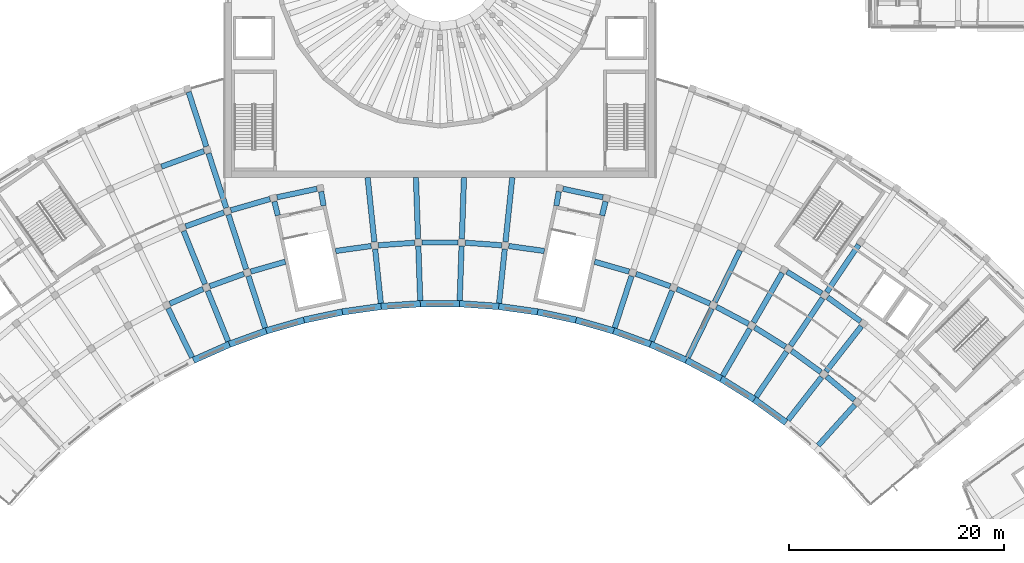
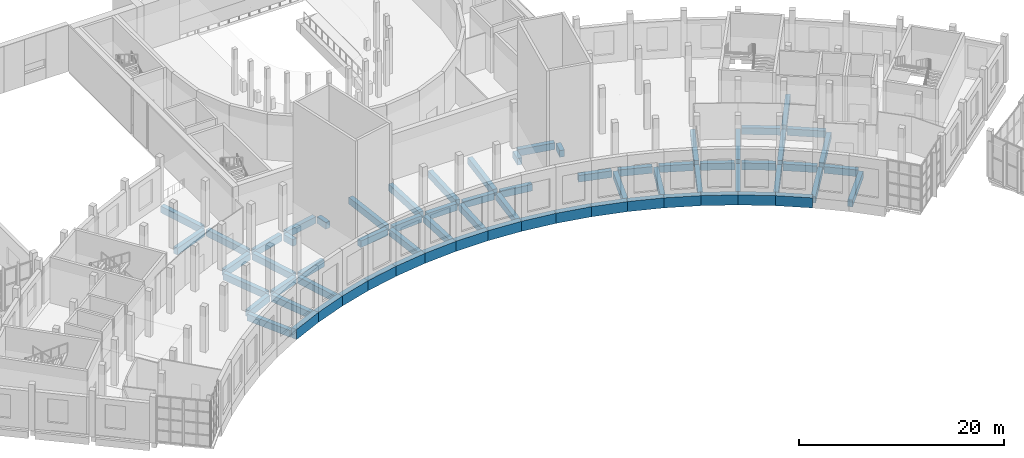
# One storey, part 10 of 87: 69 beams.
"""IFC4 building model written with IfcOpenShell, lengths in metres."""

from ifc_helpers import new_model, si_unit, direction, frame, origin, origin_2d, place, context, subcontext, project, spatial, rectangle, extrude, material, material_profile, profile_set, type_object, element, save


model = new_model("IFC4")

# Units and contexts
model_context = context("Model", 3, precision=1e-05, world=origin(), true_north=direction((0.0, 1.0)))
body_context = subcontext(model_context, "Body", "Model", "MODEL_VIEW")
ifc_project = project(units=[si_unit("LENGTHUNIT", "METRE"), si_unit("AREAUNIT", "SQUARE_METRE"), si_unit("VOLUMEUNIT", "CUBIC_METRE"), si_unit("PLANEANGLEUNIT", "RADIAN"), si_unit("MASSUNIT", "GRAM", prefix="KILO")], contexts=[model_context])

# Site, building, storey
site_placement = place(None, origin())
site = spatial("IfcSite", under=ifc_project, at=site_placement, CompositionType="ELEMENT")
building_placement = place(site_placement, origin())
building = spatial("IfcBuilding", under=site, at=building_placement, Name="Lunette Opera House", CompositionType="ELEMENT")
storey_placement = place(building_placement, frame((0.0, 0.0, 11.5)))
storey = spatial("IfcBuildingStorey", under=building, at=storey_placement, Name="L02", CompositionType="ELEMENT", Elevation=11.5)

# Beams
ifc_material_1 = material(Name="Concrete C35/45", Category="concrete")
ifc_material_profile_1 = material_profile(ifc_material_1, rectangle(XDim=0.5, YDim=0.800048828125, at=origin_2d()), Name="RC BEAM 500X800")
ifc_profile_set_1 = profile_set([ifc_material_profile_1], Name="Concrete C35/45")
beam_type_1 = type_object("IfcBeamType", Name="RC BEAM 500X800", PredefinedType="BEAM", material=ifc_profile_set_1)
beam_1_placement = place(storey_placement, frame((72.946044921875, 47.26806640625, -0.6201171875), z_axis=(-0.438348663616, 0.898805011727, 0.0), x_axis=(-0.898805011727, -0.438348663616, 0.0)))
element("IfcBeam", 1, at=beam_1_placement, inside=storey, type_object=beam_type_1, Name="beam-FC-L02-L02-RB-RL-07-1", PredefinedType="BEAM", context=body_context, shape_type="SweptSolid", body=[
    extrude(rectangle(XDim=0.5, YDim=0.800048828125, at=origin_2d()), origin(), (0.0, 0.0, 1.0), 5.06884765625),
])
beam_2_placement = place(storey_placement, frame((76.299072265625, 48.760986328125, -0.6201171875), z_axis=(-0.374651769288, 0.927165601049, 0.0), x_axis=(-0.927165601049, -0.374651769288, 0.0)))
element("IfcBeam", 2, at=beam_2_placement, inside=storey, type_object=beam_type_1, Name="beam-FC-L02-L02-RB-RL-08-1", PredefinedType="BEAM", context=body_context, shape_type="SweptSolid", body=[
    extrude(rectangle(XDim=0.5, YDim=0.800048828125, at=origin_2d()), origin(), (0.0, 0.0, 1.0), 5.069091796875),
])
beam_3_placement = place(storey_placement, frame((74.14501953125, 54.092041015625, -0.6201171875), z_axis=(-0.374434974163, 0.927253174771, 0.0), x_axis=(-0.927253174771, -0.374434974163, 0.0)))
element("IfcBeam", 3, at=beam_3_placement, inside=storey, type_object=beam_type_1, Name="beam-FC-L02-L02-RB-RL-08-2", PredefinedType="BEAM", context=body_context, shape_type="SweptSolid", body=[
    extrude(rectangle(XDim=0.5, YDim=0.800048828125, at=origin_2d()), origin(), (0.0, 0.0, 1.0), 5.31982421875),
])
beam_4_placement = place(storey_placement, frame((79.7490234375, 50.01611328125, -0.6201171875), z_axis=(-0.309096960603, 0.951030529976, 0.0), x_axis=(-0.951030529976, -0.309096960603, 0.0)))
element("IfcBeam", 4, at=beam_4_placement, inside=storey, type_object=beam_type_1, Name="beam-FC-L02-L02-RB-RL-09-1", PredefinedType="BEAM", context=body_context, shape_type="SweptSolid", body=[
    extrude(rectangle(XDim=0.5, YDim=0.800048828125, at=origin_2d()), origin(), (0.0, 0.0, 1.0), 5.070068359375),
])
beam_5_placement = place(storey_placement, frame((77.971923828125, 55.485107421875, -0.6201171875), z_axis=(-0.309072580724, 0.951038453399, 0.0), x_axis=(-0.951038453399, -0.309072580724, 0.0)))
element("IfcBeam", 5, at=beam_5_placement, inside=storey, type_object=beam_type_1, Name="beam-FC-L02-L02-RB-RL-09-2", PredefinedType="BEAM", context=body_context, shape_type="SweptSolid", body=[
    extrude(rectangle(XDim=0.5, YDim=0.800048828125, at=origin_2d()), origin(), (0.0, 0.0, 1.0), 5.3193359375),
])
for number, where, z_axis, x_axis, name in (
    (6, (76.117919921875, 61.19091796875, -0.6201171875), (-0.30896363271, 0.951073852896, 0.0), (-0.951073852896, -0.30896363271, 0.0), "beam-FC-L02-L02-RB-RL-09-3"),
    (7, (74.263916015625, 66.89697265625, -0.6201171875), (-0.30896363271, 0.951073852896, 0.0), (-0.951073852896, -0.30896363271, 0.0), "beam-FC-L02-L02-RB-RL-09-4"),
):
    element("IfcBeam", number, at=place(storey_placement, frame(where, z_axis=z_axis, x_axis=x_axis)), inside=storey, type_object=beam_type_1, Name=name, PredefinedType="BEAM", context=body_context, shape_type="SweptSolid", body=[
        extrude(rectangle(XDim=0.5, YDim=0.800048828125, at=origin_2d()), origin(), (0.0, 0.0, 1.0), 5.3203125),
    ])
beam_6_placement = place(storey_placement, frame((80.9208984375, 60.47705078125, -0.6201171875), z_axis=(-0.241672643646, 0.970357837766, 0.0), x_axis=(-0.970357837766, -0.241672643646, 0.0)))
element("IfcBeam", 8, at=beam_6_placement, inside=storey, type_object=beam_type_1, Name="beam-FC-L02-L02-RB-RL-10-2", PredefinedType="BEAM", context=body_context, shape_type="SweptSolid", body=[
    extrude(rectangle(XDim=0.5, YDim=0.800048828125, at=origin_2d()), origin(), (0.0, 0.0, 1.0), 1.33154296875),
])
beam_7_placement = place(storey_placement, frame((85.177001953125, 61.381103515625, -0.6201171875), z_axis=(-0.173367133404, 0.984857267352, 0.0), x_axis=(-0.984857267352, -0.173367133404, 0.0)))
element("IfcBeam", 9, at=beam_7_placement, inside=storey, type_object=beam_type_1, Name="beam-FC-L02-L02-RB-RL-11-2", PredefinedType="BEAM", context=body_context, shape_type="SweptSolid", body=[
    extrude(rectangle(XDim=0.5, YDim=0.800048828125, at=origin_2d()), origin(), (0.0, 0.0, 1.0), 1.332275390625),
])
beam_8_placement = place(storey_placement, frame((90.5029296875, 52.302001953125, -0.6201171875), z_axis=(-0.104546911913, 0.994519956164, 0.0), x_axis=(-0.994519956164, -0.104546911913, 0.0)))
element("IfcBeam", 10, at=beam_8_placement, inside=storey, type_object=beam_type_1, Name="beam-FC-L02-L02-RB-RL-12-1", PredefinedType="BEAM", context=body_context, shape_type="SweptSolid", body=[
    extrude(rectangle(XDim=0.5, YDim=0.800048828125, at=origin_2d()), origin(), (0.0, 0.0, 1.0), 5.06982421875),
])
beam_9_placement = place(storey_placement, frame((89.902099609375, 58.02001953125, -0.6201171875), z_axis=(-0.104631945852, 0.994511013467, 0.0), x_axis=(-0.994511013467, -0.104631945852, 0.0)))
element("IfcBeam", 11, at=beam_9_placement, inside=storey, type_object=beam_type_1, Name="beam-FC-L02-L02-RB-RL-12-2", PredefinedType="BEAM", context=body_context, shape_type="SweptSolid", body=[
    extrude(rectangle(XDim=0.5, YDim=0.800048828125, at=origin_2d()), origin(), (0.0, 0.0, 1.0), 6.012939453125),
])
beam_10_placement = place(storey_placement, frame((94.1650390625, 52.55810546875, -0.6201171875), z_axis=(-0.034911729778, 0.999390399756, 0.0), x_axis=(-0.999390399756, -0.034911729778, 0.0)))
element("IfcBeam", 12, at=beam_10_placement, inside=storey, type_object=beam_type_1, Name="beam-FC-L02-L02-RB-RL-13-1", PredefinedType="BEAM", context=body_context, shape_type="SweptSolid", body=[
    extrude(rectangle(XDim=0.5, YDim=0.800048828125, at=origin_2d()), origin(), (0.0, 0.0, 1.0), 5.070068359375),
])
beam_11_placement = place(storey_placement, frame((93.964111328125, 58.303955078125, -0.6201171875), z_axis=(-0.03495355421, 0.999388937826, 0.0), x_axis=(-0.999388937826, -0.03495355421, 0.0)))
element("IfcBeam", 13, at=beam_11_placement, inside=storey, type_object=beam_type_1, Name="beam-FC-L02-L02-RB-RL-13-2", PredefinedType="BEAM", context=body_context, shape_type="SweptSolid", body=[
    extrude(rectangle(XDim=0.5, YDim=0.800048828125, at=origin_2d()), origin(), (0.0, 0.0, 1.0), 5.699462890625),
])
beam_12_placement = place(storey_placement, frame((97.8349609375, 52.55810546875, -0.6201171875), z_axis=(0.034911729778, 0.999390399756, 0.0), x_axis=(-0.999390399756, 0.034911729778, 0.0)))
element("IfcBeam", 14, at=beam_12_placement, inside=storey, type_object=beam_type_1, Name="beam-FC-L02-L02-RB-RL-14-1", PredefinedType="BEAM", context=body_context, shape_type="SweptSolid", body=[
    extrude(rectangle(XDim=0.5, YDim=0.800048828125, at=origin_2d()), origin(), (0.0, 0.0, 1.0), 5.070068359375),
])
beam_13_placement = place(storey_placement, frame((98.035888671875, 58.303955078125, -0.6201171875), z_axis=(0.03495355421, 0.999388937826, 0.0), x_axis=(-0.999388937826, 0.03495355421, 0.0)))
element("IfcBeam", 15, at=beam_13_placement, inside=storey, type_object=beam_type_1, Name="beam-FC-L02-L02-RB-RL-14-2", PredefinedType="BEAM", context=body_context, shape_type="SweptSolid", body=[
    extrude(rectangle(XDim=0.5, YDim=0.800048828125, at=origin_2d()), origin(), (0.0, 0.0, 1.0), 5.699462890625),
])
beam_14_placement = place(storey_placement, frame((101.4970703125, 52.302001953125, -0.6201171875), z_axis=(0.104546911913, 0.994519956164, 0.0), x_axis=(-0.994519956164, 0.104546911913, 0.0)))
element("IfcBeam", 16, at=beam_14_placement, inside=storey, type_object=beam_type_1, Name="beam-FC-L02-L02-RB-RL-15-1", PredefinedType="BEAM", context=body_context, shape_type="SweptSolid", body=[
    extrude(rectangle(XDim=0.5, YDim=0.800048828125, at=origin_2d()), origin(), (0.0, 0.0, 1.0), 5.06982421875),
])
beam_15_placement = place(storey_placement, frame((102.097900390625, 58.02001953125, -0.6201171875), z_axis=(0.104631945852, 0.994511013467, 0.0), x_axis=(-0.994511013467, 0.104631945852, 0.0)))
element("IfcBeam", 17, at=beam_15_placement, inside=storey, type_object=beam_type_1, Name="beam-FC-L02-L02-RB-RL-15-2", PredefinedType="BEAM", context=body_context, shape_type="SweptSolid", body=[
    extrude(rectangle(XDim=0.5, YDim=0.800048828125, at=origin_2d()), origin(), (0.0, 0.0, 1.0), 6.012939453125),
])
beam_16_placement = place(storey_placement, frame((106.822998046875, 61.381103515625, -0.6201171875), z_axis=(0.173367133404, 0.984857267352, 0.0), x_axis=(-0.984857267352, 0.173367133404, 0.0)))
element("IfcBeam", 18, at=beam_16_placement, inside=storey, type_object=beam_type_1, Name="beam-FC-L02-L02-RB-RL-16-2", PredefinedType="BEAM", context=body_context, shape_type="SweptSolid", body=[
    extrude(rectangle(XDim=0.5, YDim=0.800048828125, at=origin_2d()), origin(), (0.0, 0.0, 1.0), 1.332275390625),
])
beam_17_placement = place(storey_placement, frame((111.0791015625, 60.47705078125, -0.6201171875), z_axis=(0.241672643646, 0.970357837766, 0.0), x_axis=(-0.970357837766, 0.241672643646, 0.0)))
element("IfcBeam", 19, at=beam_17_placement, inside=storey, type_object=beam_type_1, Name="beam-FC-L02-L02-RB-RL-17-2", PredefinedType="BEAM", context=body_context, shape_type="SweptSolid", body=[
    extrude(rectangle(XDim=0.5, YDim=0.800048828125, at=origin_2d()), origin(), (0.0, 0.0, 1.0), 1.33154296875),
])
beam_18_placement = place(storey_placement, frame((112.2509765625, 50.01611328125, -0.6201171875), z_axis=(0.309096960603, 0.951030529976, 0.0), x_axis=(-0.951030529976, 0.309096960603, 0.0)))
element("IfcBeam", 20, at=beam_18_placement, inside=storey, type_object=beam_type_1, Name="beam-FC-L02-L02-RB-RL-18-1", PredefinedType="BEAM", context=body_context, shape_type="SweptSolid", body=[
    extrude(rectangle(XDim=0.5, YDim=0.800048828125, at=origin_2d()), origin(), (0.0, 0.0, 1.0), 5.070068359375),
])
beam_19_placement = place(storey_placement, frame((115.700927734375, 48.760986328125, -0.6201171875), z_axis=(0.374651769288, 0.927165601049, 0.0), x_axis=(-0.927165601049, 0.374651769288, 0.0)))
element("IfcBeam", 21, at=beam_19_placement, inside=storey, type_object=beam_type_1, Name="beam-FC-L02-L02-RB-RL-19-1", PredefinedType="BEAM", context=body_context, shape_type="SweptSolid", body=[
    extrude(rectangle(XDim=0.5, YDim=0.800048828125, at=origin_2d()), origin(), (0.0, 0.0, 1.0), 5.069091796875),
])
beam_20_placement = place(storey_placement, frame((119.053955078125, 47.26806640625, -0.6201171875), z_axis=(0.438348663616, 0.898805011727, 0.0), x_axis=(-0.898805011727, 0.438348663616, 0.0)))
element("IfcBeam", 22, at=beam_20_placement, inside=storey, type_object=beam_type_1, Name="beam-FC-L02-L02-RB-RL-20-1", PredefinedType="BEAM", context=body_context, shape_type="SweptSolid", body=[
    extrude(rectangle(XDim=0.5, YDim=0.800048828125, at=origin_2d()), origin(), (0.0, 0.0, 1.0), 5.06884765625),
])
beam_21_placement = place(storey_placement, frame((121.574951171875, 52.43603515625, -0.6201171875), z_axis=(0.438398312975, 0.898780795957, 0.0), x_axis=(-0.898780795957, 0.438398312975, 0.0)))
element("IfcBeam", 23, at=beam_21_placement, inside=storey, type_object=beam_type_1, Name="beam-FC-L02-L02-RB-RL-20-2", PredefinedType="BEAM", context=body_context, shape_type="SweptSolid", body=[
    extrude(rectangle(XDim=0.5, YDim=0.800048828125, at=origin_2d()), origin(), (0.0, 0.0, 1.0), 5.3193359375),
])
beam_22_placement = place(storey_placement, frame((122.294921875, 45.5439453125, -0.6201171875), z_axis=(0.499991985073, 0.866030031155, 0.0), x_axis=(-0.866030031155, 0.499991985073, 0.0)))
element("IfcBeam", 24, at=beam_22_placement, inside=storey, type_object=beam_type_1, Name="beam-FC-L02-L02-RB-RL-21-1", PredefinedType="BEAM", context=body_context, shape_type="SweptSolid", body=[
    extrude(rectangle(XDim=0.5, YDim=0.800048828125, at=origin_2d()), origin(), (0.0, 0.0, 1.0), 5.0703125),
])
beam_23_placement = place(storey_placement, frame((125.169921875, 50.52392578125, -0.6201171875), z_axis=(0.500028328365, 0.866009047777, 0.0), x_axis=(-0.866009047777, 0.500028328365, 0.0)))
element("IfcBeam", 25, at=beam_23_placement, inside=storey, type_object=beam_type_1, Name="beam-FC-L02-L02-RB-RL-21-2", PredefinedType="BEAM", context=body_context, shape_type="SweptSolid", body=[
    extrude(rectangle(XDim=0.5, YDim=0.800048828125, at=origin_2d()), origin(), (0.0, 0.0, 1.0), 5.320068359375),
])
beam_24_placement = place(storey_placement, frame((125.407958984375, 43.59912109375, -0.6201171875), z_axis=(0.559204020716, 0.82903007377, 0.0), x_axis=(-0.82903007377, 0.559204020716, 0.0)))
element("IfcBeam", 26, at=beam_24_placement, inside=storey, type_object=beam_type_1, Name="beam-FC-L02-L02-RB-RL-22-1", PredefinedType="BEAM", context=body_context, shape_type="SweptSolid", body=[
    extrude(rectangle(XDim=0.5, YDim=0.800048828125, at=origin_2d()), origin(), (0.0, 0.0, 1.0), 5.069580078125),
])
beam_25_placement = place(storey_placement, frame((128.623046875, 48.365966796875, -0.6201171875), z_axis=(0.559129198637, 0.829080538447, 0.0), x_axis=(-0.829080538447, 0.559129198637, 0.0)))
element("IfcBeam", 27, at=beam_25_placement, inside=storey, type_object=beam_type_1, Name="beam-FC-L02-L02-RB-RL-22-2", PredefinedType="BEAM", context=body_context, shape_type="SweptSolid", body=[
    extrude(rectangle(XDim=0.5, YDim=0.800048828125, at=origin_2d()), origin(), (0.0, 0.0, 1.0), 5.320556640625),
])
beam_26_placement = place(storey_placement, frame((131.97802734375, 53.340087890625, -0.6201171875), z_axis=(0.559150470636, 0.829066192284, 0.0), x_axis=(-0.829066192284, 0.559150470636, 0.0)))
element("IfcBeam", 28, at=beam_26_placement, inside=storey, type_object=beam_type_1, Name="beam-FC-L02-L02-RB-RL-22-3", PredefinedType="BEAM", context=body_context, shape_type="SweptSolid", body=[
    extrude(rectangle(XDim=0.5, YDim=0.800048828125, at=origin_2d()), origin(), (0.0, 0.0, 1.0), 5.3203125),
])
beam_27_placement = place(storey_placement, frame((128.3779296875, 41.44091796875, -0.6201171875), z_axis=(0.615539387219, 0.788106124061, 0.0), x_axis=(-0.788106124061, 0.615539387219, 0.0)))
element("IfcBeam", 29, at=beam_27_placement, inside=storey, type_object=beam_type_1, Name="beam-FC-L02-L02-RB-RL-23-1", PredefinedType="BEAM", context=body_context, shape_type="SweptSolid", body=[
    extrude(rectangle(XDim=0.5, YDim=0.800048828125, at=origin_2d()), origin(), (0.0, 0.0, 1.0), 5.070556640625),
])
beam_28_placement = place(storey_placement, frame((131.91796875, 45.972900390625, -0.6201171875), z_axis=(0.615648494847, 0.788020894896, 0.0), x_axis=(-0.788020894896, 0.615648494847, 0.0)))
element("IfcBeam", 30, at=beam_28_placement, inside=storey, type_object=beam_type_1, Name="beam-FC-L02-L02-RB-RL-23-2", PredefinedType="BEAM", context=body_context, shape_type="SweptSolid", body=[
    extrude(rectangle(XDim=0.5, YDim=0.800048828125, at=origin_2d()), origin(), (0.0, 0.0, 1.0), 5.31982421875),
])
beam_29_placement = place(storey_placement, frame((131.18994140625, 39.08203125, -0.6201171875), z_axis=(0.66905518217, 0.743212730792, 0.0), x_axis=(-0.743212730792, 0.66905518217, 0.0)))
element("IfcBeam", 31, at=beam_29_placement, inside=storey, type_object=beam_type_1, Name="beam-FC-L02-L02-RB-RL-24-1", PredefinedType="BEAM", context=body_context, shape_type="SweptSolid", body=[
    extrude(rectangle(XDim=0.5, YDim=0.800048828125, at=origin_2d()), origin(), (0.0, 0.0, 1.0), 5.070068359375),
])
beam_30_placement = place(storey_placement, frame((70.885009765625, 52.26806640625, -0.6201171875), z_axis=(0.913443552561, 0.406965448515, 0.0), x_axis=(-0.406965448515, 0.913443552561, 0.0)))
element("IfcBeam", 32, at=beam_30_placement, inside=storey, type_object=beam_type_1, Name="beam-FC-L02-L02-RG-AR-M1-RL-07", PredefinedType="BEAM", context=body_context, shape_type="SweptSolid", body=[
    extrude(rectangle(XDim=0.5, YDim=0.800048828125, at=origin_2d()), origin(), (0.0, 0.0, 1.0), 3.368408203125),
])
beam_31_placement = place(storey_placement, frame((74.593017578125, 53.89306640625, -0.6201171875), z_axis=(0.939670579887, 0.342080694128, 0.0), x_axis=(-0.342080694128, 0.939670579887, 0.0)))
element("IfcBeam", 33, at=beam_31_placement, inside=storey, type_object=beam_type_1, Name="beam-FC-L02-L02-RG-AR-M1-RL-08", PredefinedType="BEAM", context=body_context, shape_type="SweptSolid", body=[
    extrude(rectangle(XDim=0.5, YDim=0.800048828125, at=origin_2d()), origin(), (0.0, 0.0, 1.0), 3.3671875),
])
beam_32_placement = place(storey_placement, frame((78.404052734375, 55.2548828125, -0.6201171875), z_axis=(0.961250511112, 0.275676358956, 0.0), x_axis=(-0.275676358956, 0.961250511112, 0.0)))
element("IfcBeam", 34, at=beam_32_placement, inside=storey, type_object=beam_type_1, Name="beam-FC-L02-L02-RG-AR-M1-RL-09", PredefinedType="BEAM", context=body_context, shape_type="SweptSolid", body=[
    extrude(rectangle(XDim=0.5, YDim=0.800048828125, at=origin_2d()), origin(), (0.0, 0.0, 1.0), 3.34130859375),
])
beam_33_placement = place(storey_placement, frame((86.2919921875, 57.169921875, -0.6201171875), z_axis=(0.990261302267, 0.139221238437, 0.0), x_axis=(-0.139221238437, 0.990261302267, 0.0)))
element("IfcBeam", 35, at=beam_33_placement, inside=storey, type_object=beam_type_1, Name="beam-FC-L02-L02-RG-AR-M1-RL-11", PredefinedType="BEAM", context=body_context, shape_type="SweptSolid", body=[
    extrude(rectangle(XDim=0.5, YDim=0.800048828125, at=origin_2d()), origin(), (0.0, 0.0, 1.0), 3.340576171875),
])
beam_34_placement = place(storey_placement, frame((90.27587890625, 57.7060546875, -0.6201171875), z_axis=(0.997567490009, 0.069707265591, 0.0), x_axis=(-0.069707265591, 0.997567490009, 0.0)))
element("IfcBeam", 36, at=beam_34_placement, inside=storey, type_object=beam_type_1, Name="beam-FC-L02-L02-RG-AR-M1-RL-12", PredefinedType="BEAM", context=body_context, shape_type="SweptSolid", body=[
    extrude(rectangle(XDim=0.5, YDim=0.800048828125, at=origin_2d()), origin(), (0.0, 0.0, 1.0), 3.369384765625),
])
beam_35_placement = place(storey_placement, frame((94.31591796875, 57.965087890625, -0.6201171875), z_axis=(1.0, 0.0, 0.0), x_axis=(0.0, 1.0, 0.0)))
element("IfcBeam", 37, at=beam_35_placement, inside=storey, type_object=beam_type_1, Name="beam-FC-L02-L02-RG-AR-M1-RL-13", PredefinedType="BEAM", context=body_context, shape_type="SweptSolid", body=[
    extrude(rectangle(XDim=0.5, YDim=0.800048828125, at=origin_2d()), origin(), (0.0, 0.0, 1.0), 3.3681640625),
])
beam_36_placement = place(storey_placement, frame((98.363037109375, 57.94091796875, -0.6201171875), z_axis=(0.997567490009, -0.069707265591, 0.0), x_axis=(0.069707265591, 0.997567490009, 0.0)))
element("IfcBeam", 38, at=beam_36_placement, inside=storey, type_object=beam_type_1, Name="beam-FC-L02-L02-RG-AR-M1-RL-14", PredefinedType="BEAM", context=body_context, shape_type="SweptSolid", body=[
    extrude(rectangle(XDim=0.5, YDim=0.800048828125, at=origin_2d()), origin(), (0.0, 0.0, 1.0), 3.369384765625),
])
beam_37_placement = place(storey_placement, frame((102.39990234375, 57.635009765625, -0.6201171875), z_axis=(0.990261302267, -0.139221238437, 0.0), x_axis=(0.139221238437, 0.990261302267, 0.0)))
element("IfcBeam", 39, at=beam_37_placement, inside=storey, type_object=beam_type_1, Name="beam-FC-L02-L02-RG-AR-M1-RL-15", PredefinedType="BEAM", context=body_context, shape_type="SweptSolid", body=[
    extrude(rectangle(XDim=0.5, YDim=0.800048828125, at=origin_2d()), origin(), (0.0, 0.0, 1.0), 3.340576171875),
])
beam_38_placement = place(storey_placement, frame((110.384033203125, 56.176025390625, -0.6201171875), z_axis=(0.961250511112, -0.275676358956, 0.0), x_axis=(0.275676358956, 0.961250511112, 0.0)))
element("IfcBeam", 40, at=beam_38_placement, inside=storey, type_object=beam_type_1, Name="beam-FC-L02-L02-RG-AR-M1-RL-17", PredefinedType="BEAM", context=body_context, shape_type="SweptSolid", body=[
    extrude(rectangle(XDim=0.5, YDim=0.800048828125, at=origin_2d()), origin(), (0.0, 0.0, 1.0), 3.34130859375),
])
beam_39_placement = place(storey_placement, frame((114.242919921875, 55.044921875, -0.6201171875), z_axis=(0.939670579887, -0.342080694128, 0.0), x_axis=(0.342080694128, 0.939670579887, 0.0)))
element("IfcBeam", 41, at=beam_39_placement, inside=storey, type_object=beam_type_1, Name="beam-FC-L02-L02-RG-AR-M1-RL-18", PredefinedType="BEAM", context=body_context, shape_type="SweptSolid", body=[
    extrude(rectangle(XDim=0.5, YDim=0.800048828125, at=origin_2d()), origin(), (0.0, 0.0, 1.0), 3.3671875),
])
beam_40_placement = place(storey_placement, frame((118.0380859375, 53.638916015625, -0.6201171875), z_axis=(0.913443552561, -0.406965448515, 0.0), x_axis=(0.406965448515, 0.913443552561, 0.0)))
element("IfcBeam", 42, at=beam_40_placement, inside=storey, type_object=beam_type_1, Name="beam-FC-L02-L02-RG-AR-M1-RL-19", PredefinedType="BEAM", context=body_context, shape_type="SweptSolid", body=[
    extrude(rectangle(XDim=0.5, YDim=0.800048828125, at=origin_2d()), origin(), (0.0, 0.0, 1.0), 3.368408203125),
])
beam_41_placement = place(storey_placement, frame((121.72607421875, 51.969970703125, -0.6201171875), z_axis=(0.882970205141, -0.469429032797, 0.0), x_axis=(0.469429032797, 0.882970205141, 0.0)))
element("IfcBeam", 43, at=beam_41_placement, inside=storey, type_object=beam_type_1, Name="beam-FC-L02-L02-RG-AR-M1-RL-20", PredefinedType="BEAM", context=body_context, shape_type="SweptSolid", body=[
    extrude(rectangle(XDim=0.5, YDim=0.800048828125, at=origin_2d()), origin(), (0.0, 0.0, 1.0), 3.367919921875),
])
beam_42_placement = place(storey_placement, frame((125.2890625, 50.049072265625, -0.6201171875), z_axis=(0.847892378533, -0.530168383088, 0.0), x_axis=(0.530168383088, 0.847892378533, 0.0)))
element("IfcBeam", 44, at=beam_42_placement, inside=storey, type_object=beam_type_1, Name="beam-FC-L02-L02-RG-AR-M1-RL-21", PredefinedType="BEAM", context=body_context, shape_type="SweptSolid", body=[
    extrude(rectangle(XDim=0.5, YDim=0.800048828125, at=origin_2d()), origin(), (0.0, 0.0, 1.0), 3.3671875),
])
beam_43_placement = place(storey_placement, frame((128.7080078125, 47.884033203125, -0.6201171875), z_axis=(0.809143406589, -0.587611221449, 0.0), x_axis=(0.587611221449, 0.809143406589, 0.0)))
element("IfcBeam", 45, at=beam_43_placement, inside=storey, type_object=beam_type_1, Name="beam-FC-L02-L02-RG-AR-M1-RL-22", PredefinedType="BEAM", context=body_context, shape_type="SweptSolid", body=[
    extrude(rectangle(XDim=0.5, YDim=0.800048828125, at=origin_2d()), origin(), (0.0, 0.0, 1.0), 3.367919921875),
])
beam_44_placement = place(storey_placement, frame((131.968994140625, 45.486083984375, -0.6201171875), z_axis=(0.766030340985, -0.642804415581, 0.0), x_axis=(0.642804415581, 0.766030340985, 0.0)))
element("IfcBeam", 46, at=beam_44_placement, inside=storey, type_object=beam_type_1, Name="beam-FC-L02-L02-RG-AR-M1-RL-23", PredefinedType="BEAM", context=body_context, shape_type="SweptSolid", body=[
    extrude(rectangle(XDim=0.5, YDim=0.800048828125, at=origin_2d()), origin(), (0.0, 0.0, 1.0), 3.3681640625),
])
beam_45_placement = place(storey_placement, frame((72.344970703125, 59.4560546875, -0.6201171875), z_axis=(0.939620121597, 0.342219267561, 0.0), x_axis=(-0.342219267561, 0.939620121597, 0.0)))
element("IfcBeam", 47, at=beam_45_placement, inside=storey, type_object=beam_type_1, Name="beam-FC-L02-L02-RG-AR-B-RL-08", PredefinedType="BEAM", context=body_context, shape_type="SweptSolid", body=[
    extrude(rectangle(XDim=0.5, YDim=0.800048828125, at=origin_2d()), origin(), (0.0, 0.0, 1.0), 3.786865234375),
])
beam_46_placement = place(storey_placement, frame((76.550048828125, 60.9619140625, -0.6201171875), z_axis=(0.961314416765, 0.275453430037, 0.0), x_axis=(-0.275453430037, 0.961314416765, 0.0)))
element("IfcBeam", 48, at=beam_46_placement, inside=storey, type_object=beam_type_1, Name="beam-FC-L02-L02-RG-AR-B-RL-09", PredefinedType="BEAM", context=body_context, shape_type="SweptSolid", body=[
    extrude(rectangle(XDim=0.5, YDim=0.800048828125, at=origin_2d()), origin(), (0.0, 0.0, 1.0), 3.786376953125),
])
for number, where, z_axis, x_axis, name in (
    (49, (80.85009765625, 62.169921875, -0.6201171875), (0.978156720642, 0.207868780394, 0.0), (-0.207868780394, 0.978156720642, 0.0), "beam-FC-L02-L02-RG-AR-B-RL-10"),
    (50, (107.446044921875, 62.95703125, -0.6201171875), (0.978156720642, -0.207868780394, 0.0), (0.207868780394, 0.978156720642, 0.0), "beam-FC-L02-L02-RG-AR-B-RL-16"),
):
    element("IfcBeam", number, at=place(storey_placement, frame(where, z_axis=z_axis, x_axis=x_axis)), inside=storey, type_object=beam_type_1, Name=name, PredefinedType="BEAM", context=body_context, shape_type="SweptSolid", body=[
        extrude(rectangle(XDim=0.5, YDim=0.800048828125, at=origin_2d()), origin(), (0.0, 0.0, 1.0), 3.78662109375),
    ])
beam_47_placement = place(storey_placement, frame((128.2880859375, 55.24609375, -0.6201171875), z_axis=(0.847925878507, -0.530114803187, 0.0), x_axis=(0.530114803187, 0.847925878507, 0.0)))
element("IfcBeam", 51, at=beam_47_placement, inside=storey, type_object=beam_type_1, Name="beam-FC-L02-L02-RG-AR-B-RL-21", PredefinedType="BEAM", context=body_context, shape_type="SweptSolid", body=[
    extrude(rectangle(XDim=0.5, YDim=0.800048828125, at=origin_2d()), origin(), (0.0, 0.0, 1.0), 3.7880859375),
])
beam_48_placement = place(storey_placement, frame((132.06298828125, 52.85791015625, -0.6201171875), z_axis=(0.809173599982, -0.58756964276, 0.0), x_axis=(0.58756964276, 0.809173599982, 0.0)))
element("IfcBeam", 52, at=beam_48_placement, inside=storey, type_object=beam_type_1, Name="beam-FC-L02-L02-RG-AR-B-RL-22", PredefinedType="BEAM", context=body_context, shape_type="SweptSolid", body=[
    extrude(rectangle(XDim=0.5, YDim=0.800048828125, at=origin_2d()), origin(), (0.0, 0.0, 1.0), 3.78662109375),
])
beam_49_placement = place(storey_placement, frame((70.097900390625, 65.01904296875, -0.6201171875), z_axis=(0.939627187369, 0.34219986668, 0.0), x_axis=(-0.34219986668, 0.939627187369, 0.0)))
element("IfcBeam", 53, at=beam_49_placement, inside=storey, type_object=beam_type_1, Name="beam-FC-L02-L02-RG-AR-M2-RL-08", PredefinedType="BEAM", context=body_context, shape_type="SweptSolid", body=[
    extrude(rectangle(XDim=0.5, YDim=0.800048828125, at=origin_2d()), origin(), (0.0, 0.0, 1.0), 4.205078125),
])
ifc_material_2 = material(Name="Concrete C40/50", Category="concrete")
ifc_material_profile_2 = material_profile(ifc_material_2, rectangle(XDim=0.60009765625, YDim=1.199951171875, at=origin_2d()), Name="TRANSFER BEAM 600X1200")
ifc_profile_set_2 = profile_set([ifc_material_profile_2], Name="Concrete C40/50")
beam_type_2 = type_object("IfcBeamType", Name="TRANSFER BEAM 600X1200", PredefinedType="BEAM", material=ifc_profile_set_2)
beam_50_placement = place(storey_placement, frame((73.072998046875, 47.007080078125, -0.60009765625), z_axis=(0.913541080102, 0.40674647505, 0.0), x_axis=(-0.40674647505, 0.913541080102, 0.0)))
element("IfcBeam", 54, at=beam_50_placement, inside=storey, type_object=beam_type_2, Name="beam-FC-L02-EB06", PredefinedType="BEAM", context=body_context, shape_type="SweptSolid", body=[
    extrude(rectangle(XDim=0.60009765625, YDim=1.199951171875, at=origin_2d()), origin(), (0.0, 0.0, 1.0), 3.650634765625),
])
beam_51_placement = place(storey_placement, frame((76.407958984375, 48.491943359375, -0.60009765625), z_axis=(0.939723096949, 0.341936399146, 0.0), x_axis=(-0.341936399146, 0.939723096949, 0.0)))
element("IfcBeam", 55, at=beam_51_placement, inside=storey, type_object=beam_type_2, Name="beam-FC-L02-EB07", PredefinedType="BEAM", context=body_context, shape_type="SweptSolid", body=[
    extrude(rectangle(XDim=0.60009765625, YDim=1.199951171875, at=origin_2d()), origin(), (0.0, 0.0, 1.0), 3.64990234375),
])
beam_52_placement = place(storey_placement, frame((79.837890625, 49.739990234375, -0.60009765625), z_axis=(0.961268631978, 0.275613165823, 0.0), x_axis=(-0.275613165823, 0.961268631978, 0.0)))
element("IfcBeam", 56, at=beam_52_placement, inside=storey, type_object=beam_type_2, Name="beam-FC-L02-EB08", PredefinedType="BEAM", context=body_context, shape_type="SweptSolid", body=[
    extrude(rectangle(XDim=0.60009765625, YDim=1.199951171875, at=origin_2d()), origin(), (0.0, 0.0, 1.0), 3.650390625),
])
beam_53_placement = place(storey_placement, frame((83.346923828125, 50.74609375, -0.60009765625), z_axis=(0.978162080014, 0.207843559492, 0.0), x_axis=(-0.207843559492, 0.978162080014, 0.0)))
element("IfcBeam", 57, at=beam_53_placement, inside=storey, type_object=beam_type_2, Name="beam-FC-L02-EB09", PredefinedType="BEAM", context=body_context, shape_type="SweptSolid", body=[
    extrude(rectangle(XDim=0.60009765625, YDim=1.199951171875, at=origin_2d()), origin(), (0.0, 0.0, 1.0), 3.65087890625),
])
beam_54_placement = place(storey_placement, frame((86.91796875, 51.5048828125, -0.60009765625), z_axis=(0.990267959421, 0.139173878811, 0.0), x_axis=(-0.139173878811, 0.990267959421, 0.0)))
element("IfcBeam", 58, at=beam_54_placement, inside=storey, type_object=beam_type_2, Name="beam-FC-L02-EB10", PredefinedType="BEAM", context=body_context, shape_type="SweptSolid", body=[
    extrude(rectangle(XDim=0.60009765625, YDim=1.199951171875, at=origin_2d()), origin(), (0.0, 0.0, 1.0), 3.650634765625),
])
beam_55_placement = place(storey_placement, frame((90.532958984375, 52.012939453125, -0.60009765625), z_axis=(0.997555518989, 0.069878369577, 0.0), x_axis=(-0.069878369577, 0.997555518989, 0.0)))
element("IfcBeam", 59, at=beam_55_placement, inside=storey, type_object=beam_type_2, Name="beam-FC-L02-EB11", PredefinedType="BEAM", context=body_context, shape_type="SweptSolid", body=[
    extrude(rectangle(XDim=0.60009765625, YDim=1.199951171875, at=origin_2d()), origin(), (0.0, 0.0, 1.0), 3.651123046875),
])
beam_56_placement = place(storey_placement, frame((94.175048828125, 52.26806640625, -0.60009765625), z_axis=(1.0, 0.0, 0.0), x_axis=(0.0, 1.0, 0.0)))
element("IfcBeam", 60, at=beam_56_placement, inside=storey, type_object=beam_type_2, Name="beam-FC-L02-EB12", PredefinedType="BEAM", context=body_context, shape_type="SweptSolid", body=[
    extrude(rectangle(XDim=0.60009765625, YDim=1.199951171875, at=origin_2d()), origin(), (0.0, 0.0, 1.0), 3.64990234375),
])
beam_57_placement = place(storey_placement, frame((97.824951171875, 52.26806640625, -0.60009765625), z_axis=(0.997555518989, -0.069878369577, 0.0), x_axis=(0.069878369577, 0.997555518989, 0.0)))
element("IfcBeam", 61, at=beam_57_placement, inside=storey, type_object=beam_type_2, Name="beam-FC-L02-EB13", PredefinedType="BEAM", context=body_context, shape_type="SweptSolid", body=[
    extrude(rectangle(XDim=0.60009765625, YDim=1.199951171875, at=origin_2d()), origin(), (0.0, 0.0, 1.0), 3.651123046875),
])
beam_58_placement = place(storey_placement, frame((101.467041015625, 52.012939453125, -0.60009765625), z_axis=(0.990267959421, -0.139173878811, 0.0), x_axis=(0.139173878811, 0.990267959421, 0.0)))
element("IfcBeam", 62, at=beam_58_placement, inside=storey, type_object=beam_type_2, Name="beam-FC-L02-EB14", PredefinedType="BEAM", context=body_context, shape_type="SweptSolid", body=[
    extrude(rectangle(XDim=0.60009765625, YDim=1.199951171875, at=origin_2d()), origin(), (0.0, 0.0, 1.0), 3.650634765625),
])
beam_59_placement = place(storey_placement, frame((105.08203125, 51.5048828125, -0.60009765625), z_axis=(0.978162080014, -0.207843559492, 0.0), x_axis=(0.207843559492, 0.978162080014, 0.0)))
element("IfcBeam", 63, at=beam_59_placement, inside=storey, type_object=beam_type_2, Name="beam-FC-L02-EB15", PredefinedType="BEAM", context=body_context, shape_type="SweptSolid", body=[
    extrude(rectangle(XDim=0.60009765625, YDim=1.199951171875, at=origin_2d()), origin(), (0.0, 0.0, 1.0), 3.65087890625),
])
beam_60_placement = place(storey_placement, frame((108.653076171875, 50.74609375, -0.60009765625), z_axis=(0.961268631978, -0.275613165823, 0.0), x_axis=(0.275613165823, 0.961268631978, 0.0)))
element("IfcBeam", 64, at=beam_60_placement, inside=storey, type_object=beam_type_2, Name="beam-FC-L02-EB16", PredefinedType="BEAM", context=body_context, shape_type="SweptSolid", body=[
    extrude(rectangle(XDim=0.60009765625, YDim=1.199951171875, at=origin_2d()), origin(), (0.0, 0.0, 1.0), 3.650390625),
])
beam_61_placement = place(storey_placement, frame((112.162109375, 49.739990234375, -0.60009765625), z_axis=(0.939723096949, -0.341936399146, 0.0), x_axis=(0.341936399146, 0.939723096949, 0.0)))
element("IfcBeam", 65, at=beam_61_placement, inside=storey, type_object=beam_type_2, Name="beam-FC-L02-EB17", PredefinedType="BEAM", context=body_context, shape_type="SweptSolid", body=[
    extrude(rectangle(XDim=0.60009765625, YDim=1.199951171875, at=origin_2d()), origin(), (0.0, 0.0, 1.0), 3.64990234375),
])
beam_62_placement = place(storey_placement, frame((115.592041015625, 48.491943359375, -0.60009765625), z_axis=(0.913541080102, -0.40674647505, 0.0), x_axis=(0.40674647505, 0.913541080102, 0.0)))
element("IfcBeam", 66, at=beam_62_placement, inside=storey, type_object=beam_type_2, Name="beam-FC-L02-EB18", PredefinedType="BEAM", context=body_context, shape_type="SweptSolid", body=[
    extrude(rectangle(XDim=0.60009765625, YDim=1.199951171875, at=origin_2d()), origin(), (0.0, 0.0, 1.0), 3.650634765625),
])
beam_63_placement = place(storey_placement, frame((118.927001953125, 47.007080078125, -0.60009765625), z_axis=(0.882894807692, -0.469570823786, 0.0), x_axis=(0.469570823786, 0.882894807692, 0.0)))
element("IfcBeam", 67, at=beam_63_placement, inside=storey, type_object=beam_type_2, Name="beam-FC-L02-EB19", PredefinedType="BEAM", context=body_context, shape_type="SweptSolid", body=[
    extrude(rectangle(XDim=0.60009765625, YDim=1.199951171875, at=origin_2d()), origin(), (0.0, 0.0, 1.0), 3.650390625),
])
beam_64_placement = place(storey_placement, frame((122.14990234375, 45.29296875, -0.60009765625), z_axis=(0.84812602074, -0.529794538424, 0.0), x_axis=(0.529794538424, 0.84812602074, 0.0)))
element("IfcBeam", 68, at=beam_64_placement, inside=storey, type_object=beam_type_2, Name="beam-FC-L02-EB20", PredefinedType="BEAM", context=body_context, shape_type="SweptSolid", body=[
    extrude(rectangle(XDim=0.60009765625, YDim=1.199951171875, at=origin_2d()), origin(), (0.0, 0.0, 1.0), 3.650634765625),
])
beam_65_placement = place(storey_placement, frame((125.24609375, 43.35888671875, -0.60009765625), z_axis=(0.808938490191, -0.587893288861, 0.0), x_axis=(0.587893288861, 0.808938490191, 0.0)))
element("IfcBeam", 69, at=beam_65_placement, inside=storey, type_object=beam_type_2, Name="beam-FC-L02-EB21", PredefinedType="BEAM", context=body_context, shape_type="SweptSolid", body=[
    extrude(rectangle(XDim=0.60009765625, YDim=1.199951171875, at=origin_2d()), origin(), (0.0, 0.0, 1.0), 3.650390625),
])

save(model, "model.ifc")
